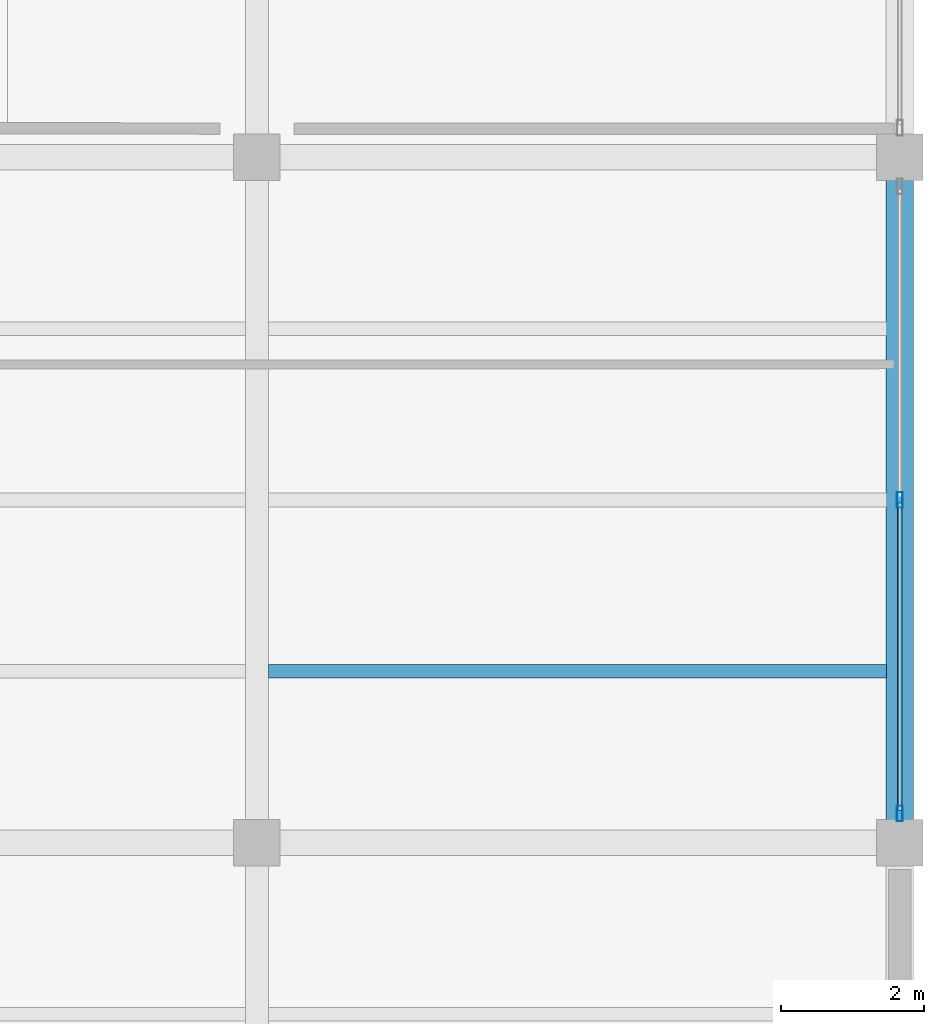
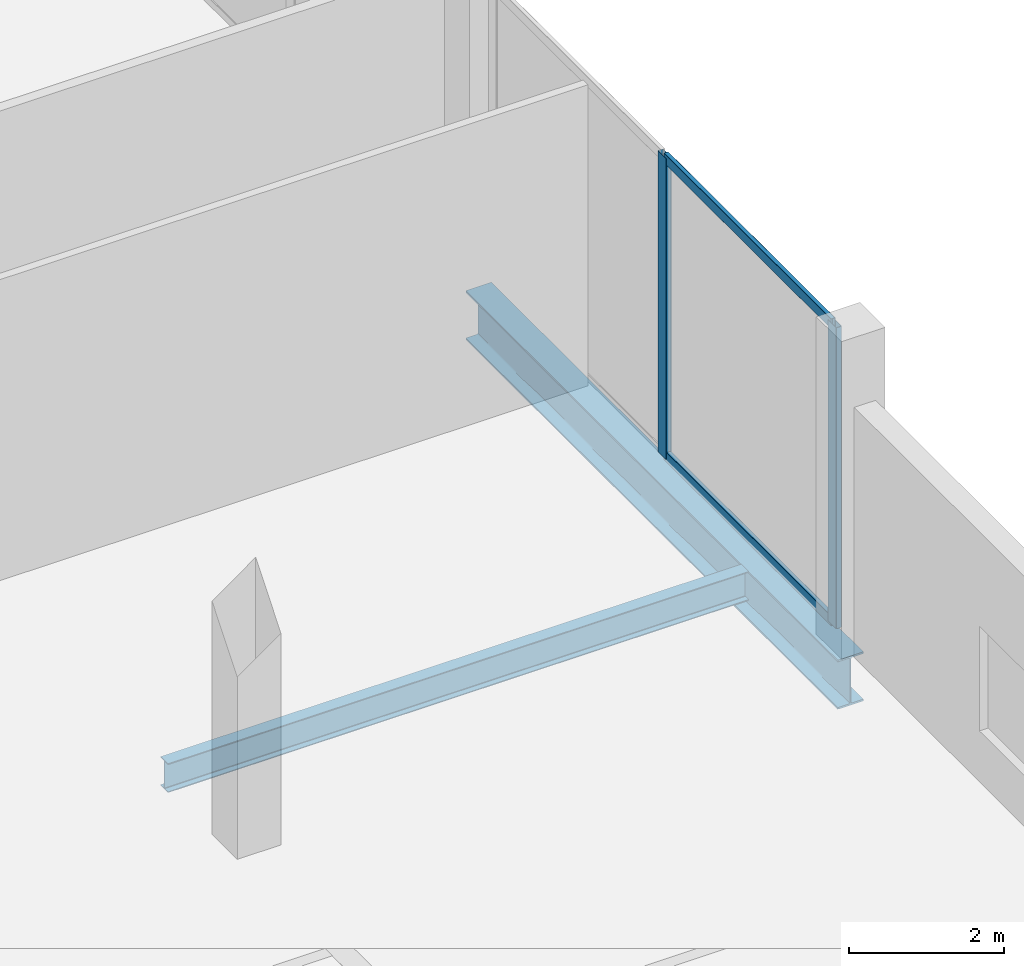
# One storey, part 15 of 46: 4 members, 2 beams, 1 element without a shape of its own.
"""IFC4 building model written with IfcOpenShell, lengths in metres."""

import ifcopenshell
import ifcopenshell.guid

model = None  # the IFC model being written
_history = None  # IfcOwnerHistory: only IFC2X3 demands one
_inside = {}  # id of a spatial element -> (the spatial element, [elements in it])
_under = {}  # id of a project, library or spatial element -> (it, [spatial elements below it])
_declared = {}  # id of a project -> (the project, [libraries it declares])
_typed = {}  # id of a type object -> (the type object, [elements of that type])
_made_of = {}  # id of a material, layer set ... -> (it, [elements and type objects made of it])


def new_model(schema):
    """Start an empty IFC model of exactly this schema.

    Asked for "IFC4X3", IfcOpenShell would pick the latest addendum, in which some entities
    have other attributes; the version numbers below select the first issue.
    IFC2X3 requires an IfcOwnerHistory on every rooted entity: one is made here for all.
    """
    global model, _history
    if schema == "IFC4X3":
        model = ifcopenshell.file(schema_version=(4, 3, 0, 0))
    else:
        model = ifcopenshell.file(schema=schema)
    _inside.clear()
    _under.clear()
    _declared.clear()
    _typed.clear()
    _made_of.clear()
    _history = None
    if model.schema == "IFC2X3":
        org = make("IfcOrganization", Name="unknown")
        user = make(
            "IfcPersonAndOrganization",
            ThePerson=make("IfcPerson", FamilyName="unknown"),
            TheOrganization=org,
        )
        app = make(
            "IfcApplication",
            ApplicationDeveloper=org,
            Version="unknown",
            ApplicationFullName="unknown",
            ApplicationIdentifier="unknown",
        )
        _history = make(
            "IfcOwnerHistory",
            OwningUser=user,
            OwningApplication=app,
            ChangeAction="ADDED",
            CreationDate=0,
        )
    return model


def make(cls, **values):
    """One entity of the class cls with the attributes given. An attribute that is None is left unset."""
    return model.create_entity(
        cls, **{name: value for name, value in values.items() if value is not None}
    )


def rooted(cls, **values):
    """An entity with a GlobalId (a new one), such as an element, a storey or a relation."""
    return make(cls, GlobalId=ifcopenshell.guid.new(), OwnerHistory=_history, **values)


def si_unit(unit_type, name, prefix=None):
    """IfcSIUnit, for example si_unit("LENGTHUNIT", "METRE", prefix="MILLI")."""
    return make("IfcSIUnit", UnitType=unit_type, Prefix=prefix, Name=name)


def assignment(units):
    """IfcUnitAssignment: the units of a project."""
    return None if units is None else make("IfcUnitAssignment", Units=units)


def point(xyz):
    """IfcCartesianPoint."""
    return None if xyz is None else make("IfcCartesianPoint", Coordinates=xyz)


def direction(xyz):
    """IfcDirection."""
    return None if xyz is None else make("IfcDirection", DirectionRatios=xyz)


def frame(location, z_axis=None, x_axis=None):
    """IfcAxis2Placement3D, a coordinate frame: its origin and axes. An axis left out is left unset."""
    return make(
        "IfcAxis2Placement3D",
        Location=point(location),
        Axis=direction(z_axis),
        RefDirection=direction(x_axis),
    )


def frame_2d(location, x_axis=None):
    """IfcAxis2Placement2D, a coordinate frame in the plane: its origin and x axis."""
    return make(
        "IfcAxis2Placement2D", Location=point(location), RefDirection=direction(x_axis)
    )


def origin():
    """The frame at (0, 0, 0) with its axes left unset."""
    return frame((0.0, 0.0, 0.0))


def origin_2d():
    """The frame at (0, 0) in the plane with its x axis left unset."""
    return frame_2d((0.0, 0.0))


def place(relative_to, where):
    """IfcLocalPlacement: puts the frame where relative to a parent placement (None: the world)."""
    return make(
        "IfcLocalPlacement", PlacementRelTo=relative_to, RelativePlacement=where
    )


def context(
    kind, dimensions, precision=None, world=None, true_north=None, identifier=None
):
    """IfcGeometricRepresentationContext, for example the 3D "Model" context."""
    return make(
        "IfcGeometricRepresentationContext",
        ContextIdentifier=identifier,
        ContextType=kind,
        CoordinateSpaceDimension=dimensions,
        Precision=precision,
        WorldCoordinateSystem=world,
        TrueNorth=true_north,
    )


def subcontext(parent, identifier, kind, view, scale=None):
    """IfcGeometricRepresentationSubContext, for example "Body" below "Model"."""
    return make(
        "IfcGeometricRepresentationSubContext",
        ContextIdentifier=identifier,
        ContextType=kind,
        ParentContext=parent,
        TargetScale=scale,
        TargetView=view,
    )


def project(units=None, contexts=None):
    """IfcProject with its units and contexts."""
    return rooted(
        "IfcProject",
        Name="project",
        RepresentationContexts=contexts,
        UnitsInContext=assignment(units),
    )


def spatial(cls, under=None, at=None, **own):
    """A site, building, storey or space (cls), placed at a placement, below another one or the project."""
    s = rooted(cls, ObjectPlacement=at, **own)
    if under is not None:
        _under.setdefault(under.id(), (under, []))[1].append(s)
    return s


def profile(cls, at=None, kind="AREA", **sizes):
    """A parametric profile (cls). Its sizes go by their IFC names, for example OverallWidth=200.0."""
    return make(cls, ProfileType=kind, Position=at, **sizes)


def hollow_rectangle(**sizes):
    """IfcRectangleHollowProfileDef."""
    return profile("IfcRectangleHollowProfileDef", **sizes)


def i_section(**sizes):
    """IfcIShapeProfileDef."""
    return profile("IfcIShapeProfileDef", **sizes)


def extrude(swept, where, along, depth):
    """IfcExtrudedAreaSolid: the profile swept, set in the frame where, extruded along a direction by depth."""
    return make(
        "IfcExtrudedAreaSolid",
        SweptArea=swept,
        Position=where,
        ExtrudedDirection=direction(along),
        Depth=depth,
    )


def shape(context_of_items, identifier, shape_type, items):
    """IfcShapeRepresentation: the items that make up one representation, for example the "Body"."""
    return make(
        "IfcShapeRepresentation",
        ContextOfItems=context_of_items,
        RepresentationIdentifier=identifier,
        RepresentationType=shape_type,
        Items=items,
    )


def material(Name=None, Category=None):
    """IfcMaterial."""
    return make("IfcMaterial", Name=Name, Category=Category)


def layer(
    of_material, thickness, ventilated=None, Name=None, Category=None, Priority=None
):
    """IfcMaterialLayer: one layer of a wall or slab, of a material (None: an air gap)."""
    return make(
        "IfcMaterialLayer",
        Material=of_material,
        LayerThickness=thickness,
        IsVentilated=ventilated,
        Name=Name,
        Category=Category,
        Priority=Priority,
    )


def layer_set(layers, Name=None):
    """IfcMaterialLayerSet."""
    return make("IfcMaterialLayerSet", MaterialLayers=layers, LayerSetName=Name)


def material_profile(
    of_material, cross_section, Name=None, Category=None, Priority=None
):
    """IfcMaterialProfile: a cross section and its material."""
    return make(
        "IfcMaterialProfile",
        Name=Name,
        Material=of_material,
        Profile=cross_section,
        Priority=Priority,
        Category=Category,
    )


def profile_set(profiles, Name=None, composite=None):
    """IfcMaterialProfileSet."""
    return make(
        "IfcMaterialProfileSet",
        Name=Name,
        MaterialProfiles=profiles,
        CompositeProfile=composite,
    )


def made_of(thing, what):
    """Note that an element or type object is made of a material, layer set ...; save() writes the relation."""
    if what is not None:
        _made_of.setdefault(what.id(), (what, []))[1].append(thing)
    return thing


def type_object(cls, material=None, **own):
    """A type object (cls), such as IfcWallType, which elements share."""
    return made_of(rooted(cls, **own), material)


def element(
    cls,
    number,
    at=None,
    inside=None,
    cuts=None,
    type_object=None,
    material=None,
    context=None,
    identifier="Body",
    shape_type=None,
    held_by="IfcProductDefinitionShape",
    body=None,
    shapes=None,
    **own,
):
    """One element of the class cls, such as IfcWall. Its Tag is "e" and its number.

    at: its placement. inside: the storey or other place that contains it. cuts: it is an
    opening in that element (IfcRelVoidsElement). A single representation is given by context,
    identifier, shape_type and body (its items); several are given by shapes. held_by: the class
    of the entity that holds the representations. save() writes the other relations.
    """
    e = rooted(cls, Tag="e%d" % number, ObjectPlacement=at, **own)
    if body is not None:
        shapes = [shape(context, identifier, shape_type, body)]
    if shapes is not None:
        e.Representation = make(held_by, Representations=shapes)
    if inside is not None:
        _inside.setdefault(inside.id(), (inside, []))[1].append(e)
    if cuts is not None:
        rooted(
            "IfcRelVoidsElement", RelatingBuildingElement=cuts, RelatedOpeningElement=e
        )
    if type_object is not None:
        _typed.setdefault(type_object.id(), (type_object, []))[1].append(e)
    return made_of(e, material)


def aggregate(whole, parts):
    """IfcRelAggregates: a whole, such as a stair, and the parts it consists of."""
    return rooted("IfcRelAggregates", RelatingObject=whole, RelatedObjects=parts)


def save(model, path):
    """Write the relations noted so far, then the file.

    IfcRelAggregates (storeys below a building ...), IfcRelContainedInSpatialStructure (elements
    in a storey), IfcRelDefinesByType, IfcRelAssociatesMaterial and IfcRelDeclares: one each for
    every whole, place, type object, material and project.
    """
    for whole, parts in _under.values():
        aggregate(whole, parts)
    for where, things in _inside.values():
        rooted(
            "IfcRelContainedInSpatialStructure",
            RelatedElements=things,
            RelatingStructure=where,
        )
    for kind, things in _typed.values():
        rooted("IfcRelDefinesByType", RelatedObjects=things, RelatingType=kind)
    for what, things in _made_of.values():
        rooted("IfcRelAssociatesMaterial", RelatedObjects=things, RelatingMaterial=what)
    for by, libraries in _declared.values():
        rooted("IfcRelDeclares", RelatingContext=by, RelatedDefinitions=libraries)
    model.write(path)


model = new_model("IFC4")

# Units and contexts
model_context = context("Model", 3, precision=1e-05, world=origin(), true_north=direction((0.0, 1.0)))
body_context = subcontext(model_context, "Body", "Model", "MODEL_VIEW")
ifc_project = project(units=[si_unit("LENGTHUNIT", "METRE"), si_unit("AREAUNIT", "SQUARE_METRE"), si_unit("VOLUMEUNIT", "CUBIC_METRE"), si_unit("PLANEANGLEUNIT", "RADIAN"), si_unit("MASSUNIT", "GRAM", prefix="KILO")], contexts=[model_context])

# Site, building, storey
site_placement = place(None, origin())
site = spatial("IfcSite", under=ifc_project, at=site_placement, CompositionType="ELEMENT")
building_placement = place(site_placement, origin())
building = spatial("IfcBuilding", under=site, at=building_placement, Name="Qorvath Tower", CompositionType="ELEMENT")
storey_placement = place(building_placement, frame((0.0, 0.0, 17.0)))
storey = spatial("IfcBuildingStorey", under=building, at=storey_placement, Name="L03", CompositionType="ELEMENT", Elevation=17.0)

# Beams
ifc_material_1 = material(Name="Steel ASTM A992 Grade 50", Category="steel")
ifc_material_profile_1 = material_profile(ifc_material_1, i_section(OverallWidth=0.381103515625, OverallDepth=0.77294921875, WebThickness=0.0166015625, FlangeThickness=0.027099609375, FilletRadius=0.01904296875, at=origin_2d()), Name="W30x173")
ifc_profile_set_1 = profile_set([ifc_material_profile_1], Name="Steel ASTM A992 Grade 50")
beam_type_1 = type_object("IfcBeamType", Name="BM-FG3", PredefinedType="BEAM", material=ifc_profile_set_1)
beam_1_placement = place(storey_placement, frame((77.39990234375, -19.199951171875, -0.646484375), z_axis=(0.0, 1.0, 0.0), x_axis=(-1.0, 0.0, 0.0)))
element("IfcBeam", 1, at=beam_1_placement, inside=storey, type_object=beam_type_1, Name="Library N-S Girder L03-6-3", PredefinedType="BEAM", context=body_context, shape_type="SweptSolid", body=[
    extrude(i_section(OverallWidth=0.381103515625, OverallDepth=0.77294921875, WebThickness=0.0166015625, FlangeThickness=0.027099609375, FilletRadius=0.01904296875, at=origin_2d()), origin(), (0.0, 0.0, 1.0), 9.599853515625),
])
ifc_material_2 = material(Name="Steel ASTM A992 Grade 50", Category="steel")
ifc_material_profile_2 = material_profile(ifc_material_2, i_section(OverallWidth=0.18994140625, OverallDepth=0.45703125, WebThickness=0.009033203125, FlangeThickness=0.014404296875, FilletRadius=0.011962890625, at=origin_2d()), Name="W18x50")
ifc_profile_set_2 = profile_set([ifc_material_profile_2], Name="Steel ASTM A992 Grade 50")
beam_type_2 = type_object("IfcBeamType", Name="BM-FJ2", PredefinedType="JOIST", material=ifc_profile_set_2)
beam_2_placement = place(storey_placement, frame((68.560546875, -16.800048828125, -0.488525390625), z_axis=(1.0, 0.0, 0.0), x_axis=(0.0, 1.0, 0.0)))
element("IfcBeam", 2, at=beam_2_placement, inside=storey, type_object=beam_type_2, Name="Library Stack Joist L03-3.1-5", PredefinedType="JOIST", context=body_context, shape_type="SweptSolid", body=[
    extrude(i_section(OverallWidth=0.18994140625, OverallDepth=0.45703125, WebThickness=0.009033203125, FlangeThickness=0.014404296875, FilletRadius=0.011962890625, at=origin_2d()), origin(), (0.0, 0.0, 1.0), 8.65087890625),
])

# Curtain wall, members
ifc_material_3 = material(Name="Anodised aluminium and triple low-E glass", Category="aluminium")
ifc_layer = layer(ifc_material_3, 0.179931640625)
ifc_layer_set = layer_set([ifc_layer], Name="CW-SYS-6")
curtain_wall_type = type_object("IfcCurtainWallType", Name="CW-SYS-6", PredefinedType="NOTDEFINED", material=ifc_layer_set)
curtain_wall_placement = place(storey_placement, origin())
curtain_wall = element("IfcCurtainWall", 3, at=curtain_wall_placement, inside=storey, type_object=curtain_wall_type, Name="Curtain Wall CW-6 CW-LIB-E-L03-3", PredefinedType="NOTDEFINED")
ifc_material_4 = material(Name="Anodised aluminium 6063-T6", Category="aluminium")
ifc_material_profile_3 = material_profile(ifc_material_4, hollow_rectangle(XDim=0.080078125, YDim=0.219970703125, WallThickness=0.00439453125, InnerFilletRadius=0.00439453125, OuterFilletRadius=0.009033203125, at=origin_2d()), Name="CWM LIB 220x80")
ifc_profile_set_3 = profile_set([ifc_material_profile_3], Name="Anodised aluminium 6063-T6")
member_type_1 = type_object("IfcMemberType", Name="CWM-LIB", PredefinedType="MULLION", material=ifc_profile_set_3)
member_1_placement = place(storey_placement, frame((77.39990234375, -18.7900390625, 0.0), z_axis=(0.0, 0.0, 1.0), x_axis=(-1.0, 0.0, 0.0)))
member_1 = element("IfcMember", 4, at=member_1_placement, type_object=member_type_1, Name="CW-6 mullion 1", PredefinedType="MULLION", context=body_context, shape_type="SweptSolid", body=[
    extrude(hollow_rectangle(XDim=0.080078125, YDim=0.219970703125, WallThickness=0.00439453125, InnerFilletRadius=0.00439453125, OuterFilletRadius=0.009033203125, at=origin_2d()), origin(), (0.0, 0.0, 1.0), 4.739990234375),
])
member_2_placement = place(storey_placement, frame((77.39990234375, -14.400146484375, 0.0), z_axis=(0.0, 0.0, 1.0), x_axis=(-1.0, 0.0, 0.0)))
member_2 = element("IfcMember", 5, at=member_2_placement, type_object=member_type_1, Name="CW-6 mullion 2", PredefinedType="MULLION", context=body_context, shape_type="SweptSolid", body=[
    extrude(hollow_rectangle(XDim=0.080078125, YDim=0.219970703125, WallThickness=0.00439453125, InnerFilletRadius=0.00439453125, OuterFilletRadius=0.009033203125, at=origin_2d()), origin(), (0.0, 0.0, 1.0), 4.739990234375),
])
ifc_material_5 = material(Name="Anodised aluminium 6063-T6", Category="aluminium")
ifc_material_profile_4 = material_profile(ifc_material_5, hollow_rectangle(XDim=0.06494140625, YDim=0.159912109375, WallThickness=0.00341796875, InnerFilletRadius=0.00341796875, OuterFilletRadius=0.007080078125, at=origin_2d()), Name="CWT 160x65")
ifc_profile_set_4 = profile_set([ifc_material_profile_4], Name="Anodised aluminium 6063-T6")
member_type_2 = type_object("IfcMemberType", Name="CWT-160", PredefinedType="USERDEFINED", material=ifc_profile_set_4)
member_3_placement = place(storey_placement, frame((77.39990234375, -18.75, 0.032470703125), z_axis=(0.0, 1.0, 0.0), x_axis=(-1.0, 0.0, 0.0)))
member_3 = element("IfcMember", 6, at=member_3_placement, type_object=member_type_2, Name="CW-6 transom 1.1", ObjectType="TRANSOM", PredefinedType="USERDEFINED", context=body_context, shape_type="SweptSolid", body=[
    extrude(hollow_rectangle(XDim=0.06494140625, YDim=0.159912109375, WallThickness=0.00341796875, InnerFilletRadius=0.00341796875, OuterFilletRadius=0.007080078125, at=origin_2d()), origin(), (0.0, 0.0, 1.0), 4.31005859375),
])
member_4_placement = place(storey_placement, frame((77.39990234375, -18.75, 4.70751953125), z_axis=(0.0, 1.0, 0.0), x_axis=(-1.0, 0.0, 0.0)))
member_4 = element("IfcMember", 7, at=member_4_placement, type_object=member_type_2, Name="CW-6 transom 1.2", ObjectType="TRANSOM", PredefinedType="USERDEFINED", context=body_context, shape_type="SweptSolid", body=[
    extrude(hollow_rectangle(XDim=0.06494140625, YDim=0.159912109375, WallThickness=0.00341796875, InnerFilletRadius=0.00341796875, OuterFilletRadius=0.007080078125, at=origin_2d()), origin(), (0.0, 0.0, 1.0), 4.31005859375),
])
aggregate(curtain_wall, [member_1, member_2, member_3, member_4])

save(model, "model.ifc")
